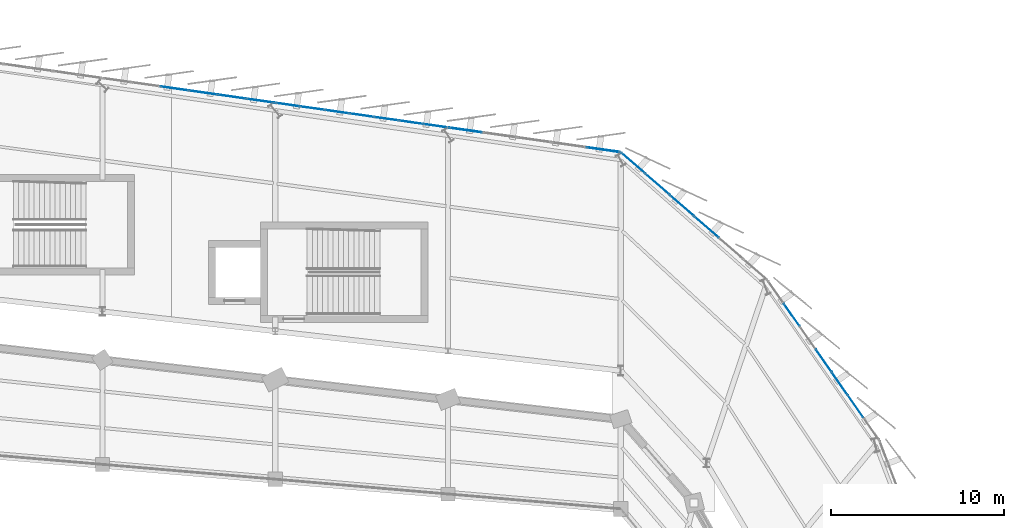
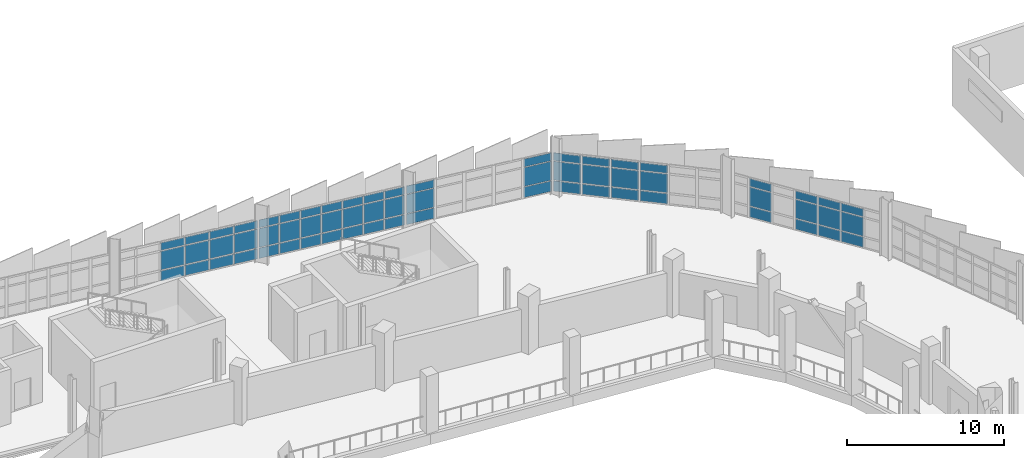
# One storey, part 96 of 125: 63 plates, 5 elements without a shape of their own.
"""IFC4 building model written with IfcOpenShell, lengths in metres."""

import ifcopenshell
import ifcopenshell.guid

model = None  # the IFC model being written
_history = None  # IfcOwnerHistory: only IFC2X3 demands one
_inside = {}  # id of a spatial element -> (the spatial element, [elements in it])
_under = {}  # id of a project, library or spatial element -> (it, [spatial elements below it])
_declared = {}  # id of a project -> (the project, [libraries it declares])
_typed = {}  # id of a type object -> (the type object, [elements of that type])
_made_of = {}  # id of a material, layer set ... -> (it, [elements and type objects made of it])


def new_model(schema):
    """Start an empty IFC model of exactly this schema.

    Asked for "IFC4X3", IfcOpenShell would pick the latest addendum, in which some entities
    have other attributes; the version numbers below select the first issue.
    IFC2X3 requires an IfcOwnerHistory on every rooted entity: one is made here for all.
    """
    global model, _history
    if schema == "IFC4X3":
        model = ifcopenshell.file(schema_version=(4, 3, 0, 0))
    else:
        model = ifcopenshell.file(schema=schema)
    _inside.clear()
    _under.clear()
    _declared.clear()
    _typed.clear()
    _made_of.clear()
    _history = None
    if model.schema == "IFC2X3":
        org = make("IfcOrganization", Name="unknown")
        user = make(
            "IfcPersonAndOrganization",
            ThePerson=make("IfcPerson", FamilyName="unknown"),
            TheOrganization=org,
        )
        app = make(
            "IfcApplication",
            ApplicationDeveloper=org,
            Version="unknown",
            ApplicationFullName="unknown",
            ApplicationIdentifier="unknown",
        )
        _history = make(
            "IfcOwnerHistory",
            OwningUser=user,
            OwningApplication=app,
            ChangeAction="ADDED",
            CreationDate=0,
        )
    return model


def make(cls, **values):
    """One entity of the class cls with the attributes given. An attribute that is None is left unset."""
    return model.create_entity(
        cls, **{name: value for name, value in values.items() if value is not None}
    )


def rooted(cls, **values):
    """An entity with a GlobalId (a new one), such as an element, a storey or a relation."""
    return make(cls, GlobalId=ifcopenshell.guid.new(), OwnerHistory=_history, **values)


def si_unit(unit_type, name, prefix=None):
    """IfcSIUnit, for example si_unit("LENGTHUNIT", "METRE", prefix="MILLI")."""
    return make("IfcSIUnit", UnitType=unit_type, Prefix=prefix, Name=name)


def assignment(units):
    """IfcUnitAssignment: the units of a project."""
    return None if units is None else make("IfcUnitAssignment", Units=units)


def point(xyz):
    """IfcCartesianPoint."""
    return None if xyz is None else make("IfcCartesianPoint", Coordinates=xyz)


def direction(xyz):
    """IfcDirection."""
    return None if xyz is None else make("IfcDirection", DirectionRatios=xyz)


def frame(location, z_axis=None, x_axis=None):
    """IfcAxis2Placement3D, a coordinate frame: its origin and axes. An axis left out is left unset."""
    return make(
        "IfcAxis2Placement3D",
        Location=point(location),
        Axis=direction(z_axis),
        RefDirection=direction(x_axis),
    )


def frame_2d(location, x_axis=None):
    """IfcAxis2Placement2D, a coordinate frame in the plane: its origin and x axis."""
    return make(
        "IfcAxis2Placement2D", Location=point(location), RefDirection=direction(x_axis)
    )


def origin():
    """The frame at (0, 0, 0) with its axes left unset."""
    return frame((0.0, 0.0, 0.0))


def origin_2d():
    """The frame at (0, 0) in the plane with its x axis left unset."""
    return frame_2d((0.0, 0.0))


def place(relative_to, where):
    """IfcLocalPlacement: puts the frame where relative to a parent placement (None: the world)."""
    return make(
        "IfcLocalPlacement", PlacementRelTo=relative_to, RelativePlacement=where
    )


def context(
    kind, dimensions, precision=None, world=None, true_north=None, identifier=None
):
    """IfcGeometricRepresentationContext, for example the 3D "Model" context."""
    return make(
        "IfcGeometricRepresentationContext",
        ContextIdentifier=identifier,
        ContextType=kind,
        CoordinateSpaceDimension=dimensions,
        Precision=precision,
        WorldCoordinateSystem=world,
        TrueNorth=true_north,
    )


def subcontext(parent, identifier, kind, view, scale=None):
    """IfcGeometricRepresentationSubContext, for example "Body" below "Model"."""
    return make(
        "IfcGeometricRepresentationSubContext",
        ContextIdentifier=identifier,
        ContextType=kind,
        ParentContext=parent,
        TargetScale=scale,
        TargetView=view,
    )


def project(units=None, contexts=None):
    """IfcProject with its units and contexts."""
    return rooted(
        "IfcProject",
        Name="project",
        RepresentationContexts=contexts,
        UnitsInContext=assignment(units),
    )


def spatial(cls, under=None, at=None, **own):
    """A site, building, storey or space (cls), placed at a placement, below another one or the project."""
    s = rooted(cls, ObjectPlacement=at, **own)
    if under is not None:
        _under.setdefault(under.id(), (under, []))[1].append(s)
    return s


def profile(cls, at=None, kind="AREA", **sizes):
    """A parametric profile (cls). Its sizes go by their IFC names, for example OverallWidth=200.0."""
    return make(cls, ProfileType=kind, Position=at, **sizes)


def rectangle(**sizes):
    """IfcRectangleProfileDef."""
    return profile("IfcRectangleProfileDef", **sizes)


def extrude(swept, where, along, depth):
    """IfcExtrudedAreaSolid: the profile swept, set in the frame where, extruded along a direction by depth."""
    return make(
        "IfcExtrudedAreaSolid",
        SweptArea=swept,
        Position=where,
        ExtrudedDirection=direction(along),
        Depth=depth,
    )


def shape(context_of_items, identifier, shape_type, items):
    """IfcShapeRepresentation: the items that make up one representation, for example the "Body"."""
    return make(
        "IfcShapeRepresentation",
        ContextOfItems=context_of_items,
        RepresentationIdentifier=identifier,
        RepresentationType=shape_type,
        Items=items,
    )


def material(Name=None, Category=None):
    """IfcMaterial."""
    return make("IfcMaterial", Name=Name, Category=Category)


def layer(
    of_material, thickness, ventilated=None, Name=None, Category=None, Priority=None
):
    """IfcMaterialLayer: one layer of a wall or slab, of a material (None: an air gap)."""
    return make(
        "IfcMaterialLayer",
        Material=of_material,
        LayerThickness=thickness,
        IsVentilated=ventilated,
        Name=Name,
        Category=Category,
        Priority=Priority,
    )


def layer_set(layers, Name=None):
    """IfcMaterialLayerSet."""
    return make("IfcMaterialLayerSet", MaterialLayers=layers, LayerSetName=Name)


def made_of(thing, what):
    """Note that an element or type object is made of a material, layer set ...; save() writes the relation."""
    if what is not None:
        _made_of.setdefault(what.id(), (what, []))[1].append(thing)
    return thing


def type_object(cls, material=None, **own):
    """A type object (cls), such as IfcWallType, which elements share."""
    return made_of(rooted(cls, **own), material)


def element(
    cls,
    number,
    at=None,
    inside=None,
    cuts=None,
    type_object=None,
    material=None,
    context=None,
    identifier="Body",
    shape_type=None,
    held_by="IfcProductDefinitionShape",
    body=None,
    shapes=None,
    **own,
):
    """One element of the class cls, such as IfcWall. Its Tag is "e" and its number.

    at: its placement. inside: the storey or other place that contains it. cuts: it is an
    opening in that element (IfcRelVoidsElement). A single representation is given by context,
    identifier, shape_type and body (its items); several are given by shapes. held_by: the class
    of the entity that holds the representations. save() writes the other relations.
    """
    e = rooted(cls, Tag="e%d" % number, ObjectPlacement=at, **own)
    if body is not None:
        shapes = [shape(context, identifier, shape_type, body)]
    if shapes is not None:
        e.Representation = make(held_by, Representations=shapes)
    if inside is not None:
        _inside.setdefault(inside.id(), (inside, []))[1].append(e)
    if cuts is not None:
        rooted(
            "IfcRelVoidsElement", RelatingBuildingElement=cuts, RelatedOpeningElement=e
        )
    if type_object is not None:
        _typed.setdefault(type_object.id(), (type_object, []))[1].append(e)
    return made_of(e, material)


def aggregate(whole, parts):
    """IfcRelAggregates: a whole, such as a stair, and the parts it consists of."""
    return rooted("IfcRelAggregates", RelatingObject=whole, RelatedObjects=parts)


def save(model, path):
    """Write the relations noted so far, then the file.

    IfcRelAggregates (storeys below a building ...), IfcRelContainedInSpatialStructure (elements
    in a storey), IfcRelDefinesByType, IfcRelAssociatesMaterial and IfcRelDeclares: one each for
    every whole, place, type object, material and project.
    """
    for whole, parts in _under.values():
        aggregate(whole, parts)
    for where, things in _inside.values():
        rooted(
            "IfcRelContainedInSpatialStructure",
            RelatedElements=things,
            RelatingStructure=where,
        )
    for kind, things in _typed.values():
        rooted("IfcRelDefinesByType", RelatedObjects=things, RelatingType=kind)
    for what, things in _made_of.values():
        rooted("IfcRelAssociatesMaterial", RelatedObjects=things, RelatingMaterial=what)
    for by, libraries in _declared.values():
        rooted("IfcRelDeclares", RelatingContext=by, RelatedDefinitions=libraries)
    model.write(path)


model = new_model("IFC4")

# Units and contexts
model_context = context("Model", 3, precision=1e-05, world=origin(), true_north=direction((0.0, 1.0)))
body_context = subcontext(model_context, "Body", "Model", "MODEL_VIEW")
ifc_project = project(units=[si_unit("LENGTHUNIT", "METRE"), si_unit("AREAUNIT", "SQUARE_METRE"), si_unit("VOLUMEUNIT", "CUBIC_METRE"), si_unit("PLANEANGLEUNIT", "RADIAN"), si_unit("MASSUNIT", "GRAM", prefix="KILO")], contexts=[model_context])

# Site, building, storey
site_placement = place(None, origin())
site = spatial("IfcSite", under=ifc_project, at=site_placement, CompositionType="ELEMENT")
building_placement = place(site_placement, origin())
building = spatial("IfcBuilding", under=site, at=building_placement, Name="Sohan Crest Arena", CompositionType="ELEMENT")
storey_placement = place(building_placement, frame((0.0, 0.0, 9.0)))
storey = spatial("IfcBuildingStorey", under=building, at=storey_placement, Name="L02", CompositionType="ELEMENT", Elevation=9.0)

# Curtain wall, plates
ifc_material_1 = material(Name="Thermally broken anodised aluminium", Category="aluminium")
ifc_layer_1 = layer(ifc_material_1, 0.18994140625, Name="Thermally broken anodised aluminium")
ifc_layer_set_1 = layer_set([ifc_layer_1], Name="Thermally broken anodised aluminium")
curtain_wall_type_1 = type_object("IfcCurtainWallType", Name="ARC-CW05", PredefinedType="NOTDEFINED", material=ifc_layer_set_1)
curtain_wall_1_placement = place(storey_placement, origin())
curtain_wall_1 = element("IfcCurtainWall", 1, at=curtain_wall_1_placement, inside=storey, type_object=curtain_wall_type_1, Name="Unitised curtain wall CW-074", PredefinedType="NOTDEFINED")
ifc_material_2 = material(Name="Low-E double-glazed insulated glass", Category="glass")
ifc_layer_2 = layer(ifc_material_2, 0.028076171875, Name="Low-E double-glazed insulated glass")
ifc_layer_set_2 = layer_set([ifc_layer_2], Name="Low-E double-glazed insulated glass")
plate_type_1 = type_object("IfcPlateType", Name="ARC-CNP01", PredefinedType="CURTAIN_PANEL", material=ifc_layer_set_2)
plate_1_placement = place(storey_placement, frame((157.270751953125, 117.983154296875, 0.06494140625), z_axis=(0.0, 0.0, 1.0), x_axis=(-0.989957411768, 0.141365918403, 0.0)))
plate_1 = element("IfcPlate", 2, at=plate_1_placement, type_object=plate_type_1, Name="CW-074 panel 1.1", PredefinedType="CURTAIN_PANEL", context=body_context, shape_type="SweptSolid", body=[
    extrude(rectangle(XDim=1.35302734375, YDim=0.028076171875, at=origin_2d()), origin(), (0.0, 0.0, 1.0), 0.802490234375),
])
plate_2_placement = place(storey_placement, frame((157.270751953125, 117.983154296875, 0.932373046875), z_axis=(0.0, 0.0, 1.0), x_axis=(-0.989957411768, 0.141365918403, 0.0)))
plate_2 = element("IfcPlate", 3, at=plate_2_placement, type_object=plate_type_1, Name="CW-074 panel 1.2", PredefinedType="CURTAIN_PANEL", context=body_context, shape_type="SweptSolid", body=[
    extrude(rectangle(XDim=1.35302734375, YDim=0.028076171875, at=origin_2d()), origin(), (0.0, 0.0, 1.0), 1.455078125),
])
plate_3_placement = place(storey_placement, frame((157.270751953125, 117.983154296875, 2.452392578125), z_axis=(0.0, 0.0, 1.0), x_axis=(-0.989957411768, 0.141365918403, 0.0)))
plate_3 = element("IfcPlate", 4, at=plate_3_placement, type_object=plate_type_1, Name="CW-074 panel 1.3", PredefinedType="CURTAIN_PANEL", context=body_context, shape_type="SweptSolid", body=[
    extrude(rectangle(XDim=1.35302734375, YDim=0.028076171875, at=origin_2d()), origin(), (0.0, 0.0, 1.0), 0.6025390625),
])
plate_4_placement = place(storey_placement, frame((155.857177734375, 118.18505859375, 0.06494140625), z_axis=(0.0, 0.0, 1.0), x_axis=(-0.989957411768, 0.141365918403, 0.0)))
plate_4 = element("IfcPlate", 5, at=plate_4_placement, type_object=plate_type_1, Name="CW-074 panel 2.1", PredefinedType="CURTAIN_PANEL", context=body_context, shape_type="SweptSolid", body=[
    extrude(rectangle(XDim=1.383056640625, YDim=0.028076171875, at=origin_2d()), origin(), (0.0, 0.0, 1.0), 0.802490234375),
])
plate_5_placement = place(storey_placement, frame((155.857177734375, 118.18505859375, 0.932373046875), z_axis=(0.0, 0.0, 1.0), x_axis=(-0.989957411768, 0.141365918403, 0.0)))
plate_5 = element("IfcPlate", 6, at=plate_5_placement, type_object=plate_type_1, Name="CW-074 panel 2.2", PredefinedType="CURTAIN_PANEL", context=body_context, shape_type="SweptSolid", body=[
    extrude(rectangle(XDim=1.383056640625, YDim=0.028076171875, at=origin_2d()), origin(), (0.0, 0.0, 1.0), 1.455078125),
])
plate_6_placement = place(storey_placement, frame((155.857177734375, 118.18505859375, 2.452392578125), z_axis=(0.0, 0.0, 1.0), x_axis=(-0.989957411768, 0.141365918403, 0.0)))
plate_6 = element("IfcPlate", 7, at=plate_6_placement, type_object=plate_type_1, Name="CW-074 panel 2.3", PredefinedType="CURTAIN_PANEL", context=body_context, shape_type="SweptSolid", body=[
    extrude(rectangle(XDim=1.383056640625, YDim=0.028076171875, at=origin_2d()), origin(), (0.0, 0.0, 1.0), 0.6025390625),
])
plate_7_placement = place(storey_placement, frame((154.428466796875, 118.388916015625, 0.06494140625), z_axis=(0.0, 0.0, 1.0), x_axis=(-0.989957411768, 0.141365918403, 0.0)))
plate_7 = element("IfcPlate", 8, at=plate_7_placement, type_object=plate_type_1, Name="CW-074 panel 3.1", PredefinedType="CURTAIN_PANEL", context=body_context, shape_type="SweptSolid", body=[
    extrude(rectangle(XDim=1.383056640625, YDim=0.028076171875, at=origin_2d()), origin(), (0.0, 0.0, 1.0), 0.802490234375),
])
plate_8_placement = place(storey_placement, frame((154.428466796875, 118.388916015625, 0.932373046875), z_axis=(0.0, 0.0, 1.0), x_axis=(-0.989957411768, 0.141365918403, 0.0)))
plate_8 = element("IfcPlate", 9, at=plate_8_placement, type_object=plate_type_1, Name="CW-074 panel 3.2", PredefinedType="CURTAIN_PANEL", context=body_context, shape_type="SweptSolid", body=[
    extrude(rectangle(XDim=1.383056640625, YDim=0.028076171875, at=origin_2d()), origin(), (0.0, 0.0, 1.0), 1.455078125),
])
plate_9_placement = place(storey_placement, frame((154.428466796875, 118.388916015625, 2.452392578125), z_axis=(0.0, 0.0, 1.0), x_axis=(-0.989957411768, 0.141365918403, 0.0)))
plate_9 = element("IfcPlate", 10, at=plate_9_placement, type_object=plate_type_1, Name="CW-074 panel 3.3", PredefinedType="CURTAIN_PANEL", context=body_context, shape_type="SweptSolid", body=[
    extrude(rectangle(XDim=1.383056640625, YDim=0.028076171875, at=origin_2d()), origin(), (0.0, 0.0, 1.0), 0.6025390625),
])
plate_10_placement = place(storey_placement, frame((153.0, 118.593017578125, 0.06494140625), z_axis=(0.0, 0.0, 1.0), x_axis=(-0.989957411768, 0.141365918403, 0.0)))
plate_10 = element("IfcPlate", 11, at=plate_10_placement, type_object=plate_type_1, Name="CW-074 panel 4.1", PredefinedType="CURTAIN_PANEL", context=body_context, shape_type="SweptSolid", body=[
    extrude(rectangle(XDim=1.383056640625, YDim=0.028076171875, at=origin_2d()), origin(), (0.0, 0.0, 1.0), 0.802490234375),
])
plate_11_placement = place(storey_placement, frame((153.0, 118.593017578125, 0.932373046875), z_axis=(0.0, 0.0, 1.0), x_axis=(-0.989957411768, 0.141365918403, 0.0)))
plate_11 = element("IfcPlate", 12, at=plate_11_placement, type_object=plate_type_1, Name="CW-074 panel 4.2", PredefinedType="CURTAIN_PANEL", context=body_context, shape_type="SweptSolid", body=[
    extrude(rectangle(XDim=1.383056640625, YDim=0.028076171875, at=origin_2d()), origin(), (0.0, 0.0, 1.0), 1.455078125),
])
plate_12_placement = place(storey_placement, frame((153.0, 118.593017578125, 2.452392578125), z_axis=(0.0, 0.0, 1.0), x_axis=(-0.989957411768, 0.141365918403, 0.0)))
plate_12 = element("IfcPlate", 13, at=plate_12_placement, type_object=plate_type_1, Name="CW-074 panel 4.3", PredefinedType="CURTAIN_PANEL", context=body_context, shape_type="SweptSolid", body=[
    extrude(rectangle(XDim=1.383056640625, YDim=0.028076171875, at=origin_2d()), origin(), (0.0, 0.0, 1.0), 0.6025390625),
])
plate_13_placement = place(storey_placement, frame((151.571533203125, 118.797119140625, 0.06494140625), z_axis=(0.0, 0.0, 1.0), x_axis=(-0.989957411768, 0.141365918403, 0.0)))
plate_13 = element("IfcPlate", 14, at=plate_13_placement, type_object=plate_type_1, Name="CW-074 panel 5.1", PredefinedType="CURTAIN_PANEL", context=body_context, shape_type="SweptSolid", body=[
    extrude(rectangle(XDim=1.383056640625, YDim=0.028076171875, at=origin_2d()), origin(), (0.0, 0.0, 1.0), 0.802490234375),
])
plate_14_placement = place(storey_placement, frame((151.571533203125, 118.797119140625, 0.932373046875), z_axis=(0.0, 0.0, 1.0), x_axis=(-0.989957411768, 0.141365918403, 0.0)))
plate_14 = element("IfcPlate", 15, at=plate_14_placement, type_object=plate_type_1, Name="CW-074 panel 5.2", PredefinedType="CURTAIN_PANEL", context=body_context, shape_type="SweptSolid", body=[
    extrude(rectangle(XDim=1.383056640625, YDim=0.028076171875, at=origin_2d()), origin(), (0.0, 0.0, 1.0), 1.455078125),
])
plate_15_placement = place(storey_placement, frame((151.571533203125, 118.797119140625, 2.452392578125), z_axis=(0.0, 0.0, 1.0), x_axis=(-0.989957411768, 0.141365918403, 0.0)))
plate_15 = element("IfcPlate", 16, at=plate_15_placement, type_object=plate_type_1, Name="CW-074 panel 5.3", PredefinedType="CURTAIN_PANEL", context=body_context, shape_type="SweptSolid", body=[
    extrude(rectangle(XDim=1.383056640625, YDim=0.028076171875, at=origin_2d()), origin(), (0.0, 0.0, 1.0), 0.6025390625),
])
plate_16_placement = place(storey_placement, frame((150.142822265625, 119.0009765625, 0.06494140625), z_axis=(0.0, 0.0, 1.0), x_axis=(-0.989957411768, 0.141365918403, 0.0)))
plate_16 = element("IfcPlate", 17, at=plate_16_placement, type_object=plate_type_1, Name="CW-074 panel 6.1", PredefinedType="CURTAIN_PANEL", context=body_context, shape_type="SweptSolid", body=[
    extrude(rectangle(XDim=1.383056640625, YDim=0.028076171875, at=origin_2d()), origin(), (0.0, 0.0, 1.0), 0.802490234375),
])
plate_17_placement = place(storey_placement, frame((150.142822265625, 119.0009765625, 0.932373046875), z_axis=(0.0, 0.0, 1.0), x_axis=(-0.989957411768, 0.141365918403, 0.0)))
plate_17 = element("IfcPlate", 18, at=plate_17_placement, type_object=plate_type_1, Name="CW-074 panel 6.2", PredefinedType="CURTAIN_PANEL", context=body_context, shape_type="SweptSolid", body=[
    extrude(rectangle(XDim=1.383056640625, YDim=0.028076171875, at=origin_2d()), origin(), (0.0, 0.0, 1.0), 1.455078125),
])
plate_18_placement = place(storey_placement, frame((150.142822265625, 119.0009765625, 2.452392578125), z_axis=(0.0, 0.0, 1.0), x_axis=(-0.989957411768, 0.141365918403, 0.0)))
plate_18 = element("IfcPlate", 19, at=plate_18_placement, type_object=plate_type_1, Name="CW-074 panel 6.3", PredefinedType="CURTAIN_PANEL", context=body_context, shape_type="SweptSolid", body=[
    extrude(rectangle(XDim=1.383056640625, YDim=0.028076171875, at=origin_2d()), origin(), (0.0, 0.0, 1.0), 0.6025390625),
])
plate_19_placement = place(storey_placement, frame((148.729248046875, 119.202880859375, 0.06494140625), z_axis=(0.0, 0.0, 1.0), x_axis=(-0.989957411768, 0.141365918403, 0.0)))
plate_19 = element("IfcPlate", 20, at=plate_19_placement, type_object=plate_type_1, Name="CW-074 panel 7.1", PredefinedType="CURTAIN_PANEL", context=body_context, shape_type="SweptSolid", body=[
    extrude(rectangle(XDim=1.35302734375, YDim=0.028076171875, at=origin_2d()), origin(), (0.0, 0.0, 1.0), 0.802490234375),
])
plate_20_placement = place(storey_placement, frame((148.729248046875, 119.202880859375, 0.932373046875), z_axis=(0.0, 0.0, 1.0), x_axis=(-0.989957411768, 0.141365918403, 0.0)))
plate_20 = element("IfcPlate", 21, at=plate_20_placement, type_object=plate_type_1, Name="CW-074 panel 7.2", PredefinedType="CURTAIN_PANEL", context=body_context, shape_type="SweptSolid", body=[
    extrude(rectangle(XDim=1.35302734375, YDim=0.028076171875, at=origin_2d()), origin(), (0.0, 0.0, 1.0), 1.455078125),
])
plate_21_placement = place(storey_placement, frame((148.729248046875, 119.202880859375, 2.452392578125), z_axis=(0.0, 0.0, 1.0), x_axis=(-0.989957411768, 0.141365918403, 0.0)))
plate_21 = element("IfcPlate", 22, at=plate_21_placement, type_object=plate_type_1, Name="CW-074 panel 7.3", PredefinedType="CURTAIN_PANEL", context=body_context, shape_type="SweptSolid", body=[
    extrude(rectangle(XDim=1.35302734375, YDim=0.028076171875, at=origin_2d()), origin(), (0.0, 0.0, 1.0), 0.6025390625),
])
aggregate(curtain_wall_1, [plate_1, plate_2, plate_3, plate_4, plate_5, plate_6, plate_7, plate_8, plate_9, plate_10, plate_11, plate_12, plate_13, plate_14, plate_15, plate_16, plate_17, plate_18, plate_19, plate_20, plate_21])

ifc_layer_3 = layer(ifc_material_1, 0.199951171875, Name="Thermally broken anodised aluminium")
ifc_layer_set_3 = layer_set([ifc_layer_3], Name="Thermally broken anodised aluminium")
curtain_wall_type_2 = type_object("IfcCurtainWallType", Name="ARC-CW02", PredefinedType="NOTDEFINED", material=ifc_layer_set_3)
curtain_wall_2_placement = place(storey_placement, origin())
curtain_wall_2 = element("IfcCurtainWall", 23, at=curtain_wall_2_placement, inside=storey, type_object=curtain_wall_type_2, Name="Unitised curtain wall CW-071", PredefinedType="NOTDEFINED")
ifc_layer_4 = layer(ifc_material_2, 0.031982421875, Name="Low-E double-glazed insulated glass")
ifc_layer_set_4 = layer_set([ifc_layer_4], Name="Low-E double-glazed insulated glass")
plate_type_2 = type_object("IfcPlateType", Name="ARC-CNP02", PredefinedType="CURTAIN_PANEL", material=ifc_layer_set_4)
plate_22_placement = place(storey_placement, frame((181.59033203125, 101.74560546875, 0.06494140625), z_axis=(0.0, 0.0, 1.0), x_axis=(-0.572428059971, 0.819954947639, 0.0)))
plate_22 = element("IfcPlate", 24, at=plate_22_placement, type_object=plate_type_2, Name="CW-071 panel 2.1", PredefinedType="CURTAIN_PANEL", context=body_context, shape_type="SweptSolid", body=[
    extrude(rectangle(XDim=1.548583984375, YDim=0.031982421875, at=origin_2d()), origin(), (0.0, 0.0, 1.0), 0.802490234375),
])
plate_23_placement = place(storey_placement, frame((181.59033203125, 101.74560546875, 0.932373046875), z_axis=(0.0, 0.0, 1.0), x_axis=(-0.572428059971, 0.819954947639, 0.0)))
plate_23 = element("IfcPlate", 25, at=plate_23_placement, type_object=plate_type_2, Name="CW-071 panel 2.2", PredefinedType="CURTAIN_PANEL", context=body_context, shape_type="SweptSolid", body=[
    extrude(rectangle(XDim=1.548583984375, YDim=0.031982421875, at=origin_2d()), origin(), (0.0, 0.0, 1.0), 1.455078125),
])
plate_24_placement = place(storey_placement, frame((181.59033203125, 101.74560546875, 2.452392578125), z_axis=(0.0, 0.0, 1.0), x_axis=(-0.572428059971, 0.819954947639, 0.0)))
plate_24 = element("IfcPlate", 26, at=plate_24_placement, type_object=plate_type_2, Name="CW-071 panel 2.3", PredefinedType="CURTAIN_PANEL", context=body_context, shape_type="SweptSolid", body=[
    extrude(rectangle(XDim=1.548583984375, YDim=0.031982421875, at=origin_2d()), origin(), (0.0, 0.0, 1.0), 0.6025390625),
])
plate_25_placement = place(storey_placement, frame((180.666748046875, 103.06884765625, 0.06494140625), z_axis=(0.0, 0.0, 1.0), x_axis=(-0.572428059971, 0.819954947639, 0.0)))
plate_25 = element("IfcPlate", 27, at=plate_25_placement, type_object=plate_type_2, Name="CW-071 panel 3.1", PredefinedType="CURTAIN_PANEL", context=body_context, shape_type="SweptSolid", body=[
    extrude(rectangle(XDim=1.548583984375, YDim=0.031982421875, at=origin_2d()), origin(), (0.0, 0.0, 1.0), 0.802490234375),
])
plate_26_placement = place(storey_placement, frame((180.666748046875, 103.06884765625, 0.932373046875), z_axis=(0.0, 0.0, 1.0), x_axis=(-0.572428059971, 0.819954947639, 0.0)))
plate_26 = element("IfcPlate", 28, at=plate_26_placement, type_object=plate_type_2, Name="CW-071 panel 3.2", PredefinedType="CURTAIN_PANEL", context=body_context, shape_type="SweptSolid", body=[
    extrude(rectangle(XDim=1.548583984375, YDim=0.031982421875, at=origin_2d()), origin(), (0.0, 0.0, 1.0), 1.455078125),
])
plate_27_placement = place(storey_placement, frame((180.666748046875, 103.06884765625, 2.452392578125), z_axis=(0.0, 0.0, 1.0), x_axis=(-0.572428059971, 0.819954947639, 0.0)))
plate_27 = element("IfcPlate", 29, at=plate_27_placement, type_object=plate_type_2, Name="CW-071 panel 3.3", PredefinedType="CURTAIN_PANEL", context=body_context, shape_type="SweptSolid", body=[
    extrude(rectangle(XDim=1.548583984375, YDim=0.031982421875, at=origin_2d()), origin(), (0.0, 0.0, 1.0), 0.6025390625),
])
plate_28_placement = place(storey_placement, frame((179.742919921875, 104.39208984375, 0.06494140625), z_axis=(0.0, 0.0, 1.0), x_axis=(-0.572428059971, 0.819954947639, 0.0)))
plate_28 = element("IfcPlate", 30, at=plate_28_placement, type_object=plate_type_2, Name="CW-071 panel 4.1", PredefinedType="CURTAIN_PANEL", context=body_context, shape_type="SweptSolid", body=[
    extrude(rectangle(XDim=1.548583984375, YDim=0.031982421875, at=origin_2d()), origin(), (0.0, 0.0, 1.0), 0.802490234375),
])
plate_29_placement = place(storey_placement, frame((179.742919921875, 104.39208984375, 0.932373046875), z_axis=(0.0, 0.0, 1.0), x_axis=(-0.572428059971, 0.819954947639, 0.0)))
plate_29 = element("IfcPlate", 31, at=plate_29_placement, type_object=plate_type_2, Name="CW-071 panel 4.2", PredefinedType="CURTAIN_PANEL", context=body_context, shape_type="SweptSolid", body=[
    extrude(rectangle(XDim=1.548583984375, YDim=0.031982421875, at=origin_2d()), origin(), (0.0, 0.0, 1.0), 1.455078125),
])
plate_30_placement = place(storey_placement, frame((179.742919921875, 104.39208984375, 2.452392578125), z_axis=(0.0, 0.0, 1.0), x_axis=(-0.572428059971, 0.819954947639, 0.0)))
plate_30 = element("IfcPlate", 32, at=plate_30_placement, type_object=plate_type_2, Name="CW-071 panel 4.3", PredefinedType="CURTAIN_PANEL", context=body_context, shape_type="SweptSolid", body=[
    extrude(rectangle(XDim=1.548583984375, YDim=0.031982421875, at=origin_2d()), origin(), (0.0, 0.0, 1.0), 0.6025390625),
])
plate_31_placement = place(storey_placement, frame((177.8955078125, 107.038330078125, 0.06494140625), z_axis=(0.0, 0.0, 1.0), x_axis=(-0.572428059971, 0.819954947639, 0.0)))
plate_31 = element("IfcPlate", 33, at=plate_31_placement, type_object=plate_type_2, Name="CW-071 panel 6.1", PredefinedType="CURTAIN_PANEL", context=body_context, shape_type="SweptSolid", body=[
    extrude(rectangle(XDim=1.548583984375, YDim=0.031982421875, at=origin_2d()), origin(), (0.0, 0.0, 1.0), 0.802490234375),
])
plate_32_placement = place(storey_placement, frame((177.8955078125, 107.038330078125, 0.932373046875), z_axis=(0.0, 0.0, 1.0), x_axis=(-0.572428059971, 0.819954947639, 0.0)))
plate_32 = element("IfcPlate", 34, at=plate_32_placement, type_object=plate_type_2, Name="CW-071 panel 6.2", PredefinedType="CURTAIN_PANEL", context=body_context, shape_type="SweptSolid", body=[
    extrude(rectangle(XDim=1.548583984375, YDim=0.031982421875, at=origin_2d()), origin(), (0.0, 0.0, 1.0), 1.455078125),
])
plate_33_placement = place(storey_placement, frame((177.8955078125, 107.038330078125, 2.452392578125), z_axis=(0.0, 0.0, 1.0), x_axis=(-0.572428059971, 0.819954947639, 0.0)))
plate_33 = element("IfcPlate", 35, at=plate_33_placement, type_object=plate_type_2, Name="CW-071 panel 6.3", PredefinedType="CURTAIN_PANEL", context=body_context, shape_type="SweptSolid", body=[
    extrude(rectangle(XDim=1.548583984375, YDim=0.031982421875, at=origin_2d()), origin(), (0.0, 0.0, 1.0), 0.6025390625),
])
aggregate(curtain_wall_2, [plate_22, plate_23, plate_24, plate_25, plate_26, plate_27, plate_28, plate_29, plate_30, plate_31, plate_32, plate_33])

ifc_layer_5 = layer(ifc_material_1, 0.2099609375, Name="Thermally broken anodised aluminium")
ifc_layer_set_5 = layer_set([ifc_layer_5], Name="Thermally broken anodised aluminium")
curtain_wall_type_3 = type_object("IfcCurtainWallType", Name="ARC-CW06", PredefinedType="NOTDEFINED", material=ifc_layer_set_5)
curtain_wall_3_placement = place(storey_placement, origin())
curtain_wall_3 = element("IfcCurtainWall", 36, at=curtain_wall_3_placement, inside=storey, type_object=curtain_wall_type_3, Name="Unitised curtain wall CW-075", PredefinedType="NOTDEFINED")
plate_34_placement = place(storey_placement, frame((147.150634765625, 119.428466796875, 0.070068359375), z_axis=(0.0, 0.0, 1.0), x_axis=(-0.989943553128, 0.141462933734, 0.0)))
plate_34 = element("IfcPlate", 37, at=plate_34_placement, type_object=plate_type_2, Name="CW-075 panel 1.1", PredefinedType="CURTAIN_PANEL", context=body_context, shape_type="SweptSolid", body=[
    extrude(rectangle(XDim=1.586181640625, YDim=0.031982421875, at=origin_2d()), origin(), (0.0, 0.0, 1.0), 0.794921875),
])
plate_35_placement = place(storey_placement, frame((147.150634765625, 119.428466796875, 0.93505859375), z_axis=(0.0, 0.0, 1.0), x_axis=(-0.989943553128, 0.141462933734, 0.0)))
plate_35 = element("IfcPlate", 38, at=plate_35_placement, type_object=plate_type_2, Name="CW-075 panel 1.2", PredefinedType="CURTAIN_PANEL", context=body_context, shape_type="SweptSolid", body=[
    extrude(rectangle(XDim=1.586181640625, YDim=0.031982421875, at=origin_2d()), origin(), (0.0, 0.0, 1.0), 1.449951171875),
])
plate_36_placement = place(storey_placement, frame((147.150634765625, 119.428466796875, 2.455078125), z_axis=(0.0, 0.0, 1.0), x_axis=(-0.989943553128, 0.141462933734, 0.0)))
plate_36 = element("IfcPlate", 39, at=plate_36_placement, type_object=plate_type_2, Name="CW-075 panel 1.3", PredefinedType="CURTAIN_PANEL", context=body_context, shape_type="SweptSolid", body=[
    extrude(rectangle(XDim=1.586181640625, YDim=0.031982421875, at=origin_2d()), origin(), (0.0, 0.0, 1.0), 0.594970703125),
])
plate_37_placement = place(storey_placement, frame((145.5, 119.664306640625, 0.070068359375), z_axis=(0.0, 0.0, 1.0), x_axis=(-0.989943553128, 0.141462933734, 0.0)))
plate_37 = element("IfcPlate", 40, at=plate_37_placement, type_object=plate_type_2, Name="CW-075 panel 2.1", PredefinedType="CURTAIN_PANEL", context=body_context, shape_type="SweptSolid", body=[
    extrude(rectangle(XDim=1.61865234375, YDim=0.031982421875, at=origin_2d()), origin(), (0.0, 0.0, 1.0), 0.794921875),
])
plate_38_placement = place(storey_placement, frame((145.5, 119.664306640625, 0.93505859375), z_axis=(0.0, 0.0, 1.0), x_axis=(-0.989943553128, 0.141462933734, 0.0)))
plate_38 = element("IfcPlate", 41, at=plate_38_placement, type_object=plate_type_2, Name="CW-075 panel 2.2", PredefinedType="CURTAIN_PANEL", context=body_context, shape_type="SweptSolid", body=[
    extrude(rectangle(XDim=1.61865234375, YDim=0.031982421875, at=origin_2d()), origin(), (0.0, 0.0, 1.0), 1.449951171875),
])
plate_39_placement = place(storey_placement, frame((145.5, 119.664306640625, 2.455078125), z_axis=(0.0, 0.0, 1.0), x_axis=(-0.989943553128, 0.141462933734, 0.0)))
plate_39 = element("IfcPlate", 42, at=plate_39_placement, type_object=plate_type_2, Name="CW-075 panel 2.3", PredefinedType="CURTAIN_PANEL", context=body_context, shape_type="SweptSolid", body=[
    extrude(rectangle(XDim=1.61865234375, YDim=0.031982421875, at=origin_2d()), origin(), (0.0, 0.0, 1.0), 0.594970703125),
])
plate_40_placement = place(storey_placement, frame((143.833251953125, 119.90234375, 0.070068359375), z_axis=(0.0, 0.0, 1.0), x_axis=(-0.989943553128, 0.141462933734, 0.0)))
plate_40 = element("IfcPlate", 43, at=plate_40_placement, type_object=plate_type_2, Name="CW-075 panel 3.1", PredefinedType="CURTAIN_PANEL", context=body_context, shape_type="SweptSolid", body=[
    extrude(rectangle(XDim=1.61865234375, YDim=0.031982421875, at=origin_2d()), origin(), (0.0, 0.0, 1.0), 0.794921875),
])
plate_41_placement = place(storey_placement, frame((143.833251953125, 119.90234375, 0.93505859375), z_axis=(0.0, 0.0, 1.0), x_axis=(-0.989943553128, 0.141462933734, 0.0)))
plate_41 = element("IfcPlate", 44, at=plate_41_placement, type_object=plate_type_2, Name="CW-075 panel 3.2", PredefinedType="CURTAIN_PANEL", context=body_context, shape_type="SweptSolid", body=[
    extrude(rectangle(XDim=1.61865234375, YDim=0.031982421875, at=origin_2d()), origin(), (0.0, 0.0, 1.0), 1.449951171875),
])
plate_42_placement = place(storey_placement, frame((143.833251953125, 119.90234375, 2.455078125), z_axis=(0.0, 0.0, 1.0), x_axis=(-0.989943553128, 0.141462933734, 0.0)))
plate_42 = element("IfcPlate", 45, at=plate_42_placement, type_object=plate_type_2, Name="CW-075 panel 3.3", PredefinedType="CURTAIN_PANEL", context=body_context, shape_type="SweptSolid", body=[
    extrude(rectangle(XDim=1.61865234375, YDim=0.031982421875, at=origin_2d()), origin(), (0.0, 0.0, 1.0), 0.594970703125),
])
plate_43_placement = place(storey_placement, frame((142.166748046875, 120.140625, 0.070068359375), z_axis=(0.0, 0.0, 1.0), x_axis=(-0.989943553128, 0.141462933734, 0.0)))
plate_43 = element("IfcPlate", 46, at=plate_43_placement, type_object=plate_type_2, Name="CW-075 panel 4.1", PredefinedType="CURTAIN_PANEL", context=body_context, shape_type="SweptSolid", body=[
    extrude(rectangle(XDim=1.61865234375, YDim=0.031982421875, at=origin_2d()), origin(), (0.0, 0.0, 1.0), 0.794921875),
])
plate_44_placement = place(storey_placement, frame((142.166748046875, 120.140625, 0.93505859375), z_axis=(0.0, 0.0, 1.0), x_axis=(-0.989943553128, 0.141462933734, 0.0)))
plate_44 = element("IfcPlate", 47, at=plate_44_placement, type_object=plate_type_2, Name="CW-075 panel 4.2", PredefinedType="CURTAIN_PANEL", context=body_context, shape_type="SweptSolid", body=[
    extrude(rectangle(XDim=1.61865234375, YDim=0.031982421875, at=origin_2d()), origin(), (0.0, 0.0, 1.0), 1.449951171875),
])
plate_45_placement = place(storey_placement, frame((142.166748046875, 120.140625, 2.455078125), z_axis=(0.0, 0.0, 1.0), x_axis=(-0.989943553128, 0.141462933734, 0.0)))
plate_45 = element("IfcPlate", 48, at=plate_45_placement, type_object=plate_type_2, Name="CW-075 panel 4.3", PredefinedType="CURTAIN_PANEL", context=body_context, shape_type="SweptSolid", body=[
    extrude(rectangle(XDim=1.61865234375, YDim=0.031982421875, at=origin_2d()), origin(), (0.0, 0.0, 1.0), 0.594970703125),
])
aggregate(curtain_wall_3, [plate_34, plate_35, plate_36, plate_37, plate_38, plate_39, plate_40, plate_41, plate_42, plate_43, plate_44, plate_45])

ifc_layer_6 = layer(ifc_material_1, 0.219970703125, Name="Thermally broken anodised aluminium")
ifc_layer_set_6 = layer_set([ifc_layer_6], Name="Thermally broken anodised aluminium")
curtain_wall_type_4 = type_object("IfcCurtainWallType", Name="ARC-CW03", PredefinedType="NOTDEFINED", material=ifc_layer_set_6)
curtain_wall_4_placement = place(storey_placement, origin())
curtain_wall_4 = element("IfcCurtainWall", 49, at=curtain_wall_4_placement, inside=storey, type_object=curtain_wall_type_4, Name="Unitised curtain wall CW-072", PredefinedType="NOTDEFINED")
ifc_material_3 = material(Name="Ceramic-fritted solar-control insulated glass", Category="glass")
ifc_layer_7 = layer(ifc_material_3, 0.035888671875, Name="Ceramic-fritted solar-control insulated glass")
ifc_layer_set_7 = layer_set([ifc_layer_7], Name="Ceramic-fritted solar-control insulated glass")
plate_type_3 = type_object("IfcPlateType", Name="ARC-CNP03", PredefinedType="CURTAIN_PANEL", material=ifc_layer_set_7)
plate_46_placement = place(storey_placement, frame((172.964111328125, 112.11767578125, 0.070068359375), z_axis=(0.0, 0.0, 1.0), x_axis=(-0.753420670265, 0.657538815294, 0.0)))
plate_46 = element("IfcPlate", 50, at=plate_46_placement, type_object=plate_type_3, Name="CW-072 panel 3.1", PredefinedType="CURTAIN_PANEL", context=body_context, shape_type="SweptSolid", body=[
    extrude(rectangle(XDim=1.8125, YDim=0.035888671875, at=origin_2d()), origin(), (0.0, 0.0, 1.0), 0.794921875),
])
plate_47_placement = place(storey_placement, frame((172.964111328125, 112.11767578125, 0.93505859375), z_axis=(0.0, 0.0, 1.0), x_axis=(-0.753420670265, 0.657538815294, 0.0)))
plate_47 = element("IfcPlate", 51, at=plate_47_placement, type_object=plate_type_3, Name="CW-072 panel 3.2", PredefinedType="CURTAIN_PANEL", context=body_context, shape_type="SweptSolid", body=[
    extrude(rectangle(XDim=1.8125, YDim=0.035888671875, at=origin_2d()), origin(), (0.0, 0.0, 1.0), 1.449951171875),
])
plate_48_placement = place(storey_placement, frame((172.964111328125, 112.11767578125, 2.455078125), z_axis=(0.0, 0.0, 1.0), x_axis=(-0.753420670265, 0.657538815294, 0.0)))
plate_48 = element("IfcPlate", 52, at=plate_48_placement, type_object=plate_type_3, Name="CW-072 panel 3.3", PredefinedType="CURTAIN_PANEL", context=body_context, shape_type="SweptSolid", body=[
    extrude(rectangle(XDim=1.8125, YDim=0.035888671875, at=origin_2d()), origin(), (0.0, 0.0, 1.0), 0.594970703125),
])
plate_49_placement = place(storey_placement, frame((171.5458984375, 113.35546875, 0.070068359375), z_axis=(0.0, 0.0, 1.0), x_axis=(-0.753420670265, 0.657538815294, 0.0)))
plate_49 = element("IfcPlate", 53, at=plate_49_placement, type_object=plate_type_3, Name="CW-072 panel 4.1", PredefinedType="CURTAIN_PANEL", context=body_context, shape_type="SweptSolid", body=[
    extrude(rectangle(XDim=1.8125, YDim=0.035888671875, at=origin_2d()), origin(), (0.0, 0.0, 1.0), 0.794921875),
])
plate_50_placement = place(storey_placement, frame((171.5458984375, 113.35546875, 0.93505859375), z_axis=(0.0, 0.0, 1.0), x_axis=(-0.753420670265, 0.657538815294, 0.0)))
plate_50 = element("IfcPlate", 54, at=plate_50_placement, type_object=plate_type_3, Name="CW-072 panel 4.2", PredefinedType="CURTAIN_PANEL", context=body_context, shape_type="SweptSolid", body=[
    extrude(rectangle(XDim=1.8125, YDim=0.035888671875, at=origin_2d()), origin(), (0.0, 0.0, 1.0), 1.449951171875),
])
plate_51_placement = place(storey_placement, frame((171.5458984375, 113.35546875, 2.455078125), z_axis=(0.0, 0.0, 1.0), x_axis=(-0.753420670265, 0.657538815294, 0.0)))
plate_51 = element("IfcPlate", 55, at=plate_51_placement, type_object=plate_type_3, Name="CW-072 panel 4.3", PredefinedType="CURTAIN_PANEL", context=body_context, shape_type="SweptSolid", body=[
    extrude(rectangle(XDim=1.8125, YDim=0.035888671875, at=origin_2d()), origin(), (0.0, 0.0, 1.0), 0.594970703125),
])
plate_52_placement = place(storey_placement, frame((170.12744140625, 114.59326171875, 0.070068359375), z_axis=(0.0, 0.0, 1.0), x_axis=(-0.753420670265, 0.657538815294, 0.0)))
plate_52 = element("IfcPlate", 56, at=plate_52_placement, type_object=plate_type_3, Name="CW-072 panel 5.1", PredefinedType="CURTAIN_PANEL", context=body_context, shape_type="SweptSolid", body=[
    extrude(rectangle(XDim=1.8125, YDim=0.035888671875, at=origin_2d()), origin(), (0.0, 0.0, 1.0), 0.794921875),
])
plate_53_placement = place(storey_placement, frame((170.12744140625, 114.59326171875, 0.93505859375), z_axis=(0.0, 0.0, 1.0), x_axis=(-0.753420670265, 0.657538815294, 0.0)))
plate_53 = element("IfcPlate", 57, at=plate_53_placement, type_object=plate_type_3, Name="CW-072 panel 5.2", PredefinedType="CURTAIN_PANEL", context=body_context, shape_type="SweptSolid", body=[
    extrude(rectangle(XDim=1.8125, YDim=0.035888671875, at=origin_2d()), origin(), (0.0, 0.0, 1.0), 1.449951171875),
])
plate_54_placement = place(storey_placement, frame((170.12744140625, 114.59326171875, 2.455078125), z_axis=(0.0, 0.0, 1.0), x_axis=(-0.753420670265, 0.657538815294, 0.0)))
plate_54 = element("IfcPlate", 58, at=plate_54_placement, type_object=plate_type_3, Name="CW-072 panel 5.3", PredefinedType="CURTAIN_PANEL", context=body_context, shape_type="SweptSolid", body=[
    extrude(rectangle(XDim=1.8125, YDim=0.035888671875, at=origin_2d()), origin(), (0.0, 0.0, 1.0), 0.594970703125),
])
plate_55_placement = place(storey_placement, frame((168.722412109375, 115.819580078125, 0.070068359375), z_axis=(0.0, 0.0, 1.0), x_axis=(-0.753420670265, 0.657538815294, 0.0)))
plate_55 = element("IfcPlate", 59, at=plate_55_placement, type_object=plate_type_3, Name="CW-072 panel 6.1", PredefinedType="CURTAIN_PANEL", context=body_context, shape_type="SweptSolid", body=[
    extrude(rectangle(XDim=1.777587890625, YDim=0.035888671875, at=origin_2d()), origin(), (0.0, 0.0, 1.0), 0.794921875),
])
plate_56_placement = place(storey_placement, frame((168.722412109375, 115.819580078125, 0.93505859375), z_axis=(0.0, 0.0, 1.0), x_axis=(-0.753420670265, 0.657538815294, 0.0)))
plate_56 = element("IfcPlate", 60, at=plate_56_placement, type_object=plate_type_3, Name="CW-072 panel 6.2", PredefinedType="CURTAIN_PANEL", context=body_context, shape_type="SweptSolid", body=[
    extrude(rectangle(XDim=1.777587890625, YDim=0.035888671875, at=origin_2d()), origin(), (0.0, 0.0, 1.0), 1.449951171875),
])
plate_57_placement = place(storey_placement, frame((168.722412109375, 115.819580078125, 2.455078125), z_axis=(0.0, 0.0, 1.0), x_axis=(-0.753420670265, 0.657538815294, 0.0)))
plate_57 = element("IfcPlate", 61, at=plate_57_placement, type_object=plate_type_3, Name="CW-072 panel 6.3", PredefinedType="CURTAIN_PANEL", context=body_context, shape_type="SweptSolid", body=[
    extrude(rectangle(XDim=1.777587890625, YDim=0.035888671875, at=origin_2d()), origin(), (0.0, 0.0, 1.0), 0.594970703125),
])
aggregate(curtain_wall_4, [plate_46, plate_47, plate_48, plate_49, plate_50, plate_51, plate_52, plate_53, plate_54, plate_55, plate_56, plate_57])

ifc_layer_8 = layer(ifc_material_1, 0.239990234375, Name="Thermally broken anodised aluminium")
ifc_layer_set_8 = layer_set([ifc_layer_8], Name="Thermally broken anodised aluminium")
curtain_wall_type_5 = type_object("IfcCurtainWallType", Name="ARC-CW04", PredefinedType="NOTDEFINED", material=ifc_layer_set_8)
curtain_wall_5_placement = place(storey_placement, origin())
curtain_wall_5 = element("IfcCurtainWall", 62, at=curtain_wall_5_placement, inside=storey, type_object=curtain_wall_type_5, Name="Unitised curtain wall CW-073", PredefinedType="NOTDEFINED")
ifc_material_4 = material(Name="Insulated polychrome ceramic spandrel panel", Category="masonry")
ifc_layer_9 = layer(ifc_material_4, 0.0419921875, Name="Insulated polychrome ceramic spandrel panel")
ifc_layer_set_9 = layer_set([ifc_layer_9], Name="Insulated polychrome ceramic spandrel panel")
plate_type_4 = type_object("IfcPlateType", Name="ARC-CNP04", PredefinedType="CURTAIN_PANEL", material=ifc_layer_set_9)
plate_58_placement = place(storey_placement, frame((166.9814453125, 116.595458984375, 0.06005859375), z_axis=(0.0, 0.0, 1.0), x_axis=(-0.989943553128, 0.141462933734, 0.0)))
plate_58 = element("IfcPlate", 63, at=plate_58_placement, type_object=plate_type_4, Name="CW-073 panel 1.1", PredefinedType="CURTAIN_PANEL", context=body_context, shape_type="SweptSolid", body=[
    extrude(rectangle(XDim=1.90771484375, YDim=0.0419921875, at=origin_2d()), origin(), (0.0, 0.0, 1.0), 0.81005859375),
])
plate_59_placement = place(storey_placement, frame((166.9814453125, 116.595458984375, 0.929931640625), z_axis=(0.0, 0.0, 1.0), x_axis=(-0.989943553128, 0.141462933734, 0.0)))
plate_59 = element("IfcPlate", 64, at=plate_59_placement, type_object=plate_type_4, Name="CW-073 panel 1.2", PredefinedType="CURTAIN_PANEL", context=body_context, shape_type="SweptSolid", body=[
    extrude(rectangle(XDim=1.90771484375, YDim=0.0419921875, at=origin_2d()), origin(), (0.0, 0.0, 1.0), 1.4599609375),
])
plate_60_placement = place(storey_placement, frame((166.9814453125, 116.595458984375, 2.44970703125), z_axis=(0.0, 0.0, 1.0), x_axis=(-0.989943553128, 0.141462933734, 0.0)))
plate_60 = element("IfcPlate", 65, at=plate_60_placement, type_object=plate_type_4, Name="CW-073 panel 1.3", PredefinedType="CURTAIN_PANEL", context=body_context, shape_type="SweptSolid", body=[
    extrude(rectangle(XDim=1.90771484375, YDim=0.0419921875, at=origin_2d()), origin(), (0.0, 0.0, 1.0), 0.610107421875),
])
plate_61_placement = place(storey_placement, frame((159.0185546875, 117.7333984375, 0.06005859375), z_axis=(0.0, 0.0, 1.0), x_axis=(-0.989943553128, 0.141462933734, 0.0)))
plate_61 = element("IfcPlate", 66, at=plate_61_placement, type_object=plate_type_4, Name="CW-073 panel 5.1", PredefinedType="CURTAIN_PANEL", context=body_context, shape_type="SweptSolid", body=[
    extrude(rectangle(XDim=1.90771484375, YDim=0.0419921875, at=origin_2d()), origin(), (0.0, 0.0, 1.0), 0.81005859375),
])
plate_62_placement = place(storey_placement, frame((159.0185546875, 117.7333984375, 0.929931640625), z_axis=(0.0, 0.0, 1.0), x_axis=(-0.989943553128, 0.141462933734, 0.0)))
plate_62 = element("IfcPlate", 67, at=plate_62_placement, type_object=plate_type_4, Name="CW-073 panel 5.2", PredefinedType="CURTAIN_PANEL", context=body_context, shape_type="SweptSolid", body=[
    extrude(rectangle(XDim=1.90771484375, YDim=0.0419921875, at=origin_2d()), origin(), (0.0, 0.0, 1.0), 1.4599609375),
])
plate_63_placement = place(storey_placement, frame((159.0185546875, 117.7333984375, 2.44970703125), z_axis=(0.0, 0.0, 1.0), x_axis=(-0.989943553128, 0.141462933734, 0.0)))
plate_63 = element("IfcPlate", 68, at=plate_63_placement, type_object=plate_type_4, Name="CW-073 panel 5.3", PredefinedType="CURTAIN_PANEL", context=body_context, shape_type="SweptSolid", body=[
    extrude(rectangle(XDim=1.90771484375, YDim=0.0419921875, at=origin_2d()), origin(), (0.0, 0.0, 1.0), 0.610107421875),
])
aggregate(curtain_wall_5, [plate_58, plate_59, plate_60, plate_61, plate_62, plate_63])

save(model, "model.ifc")
